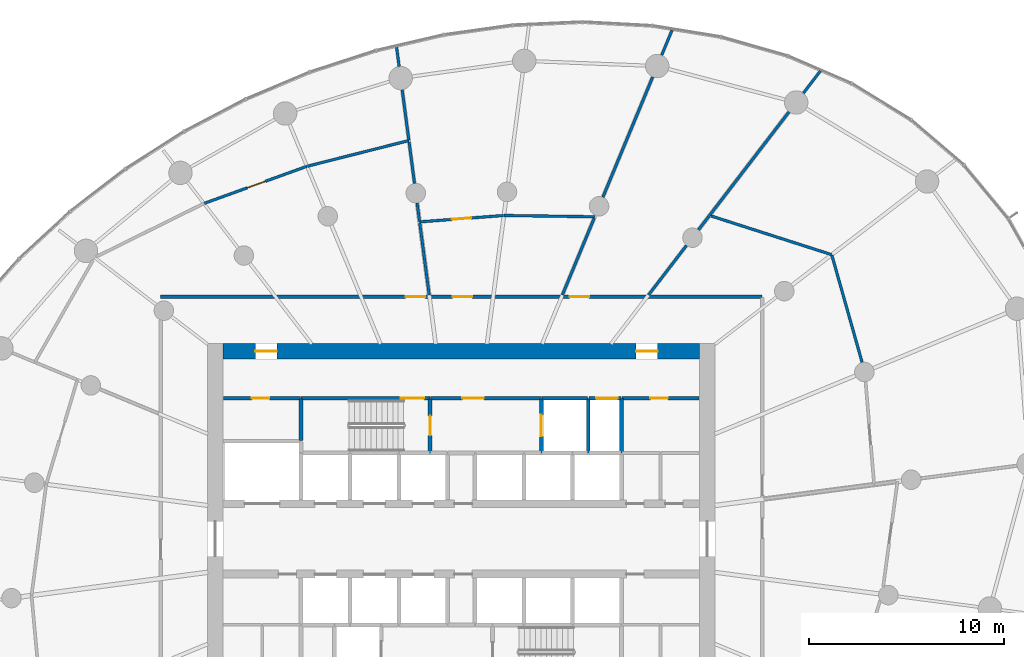
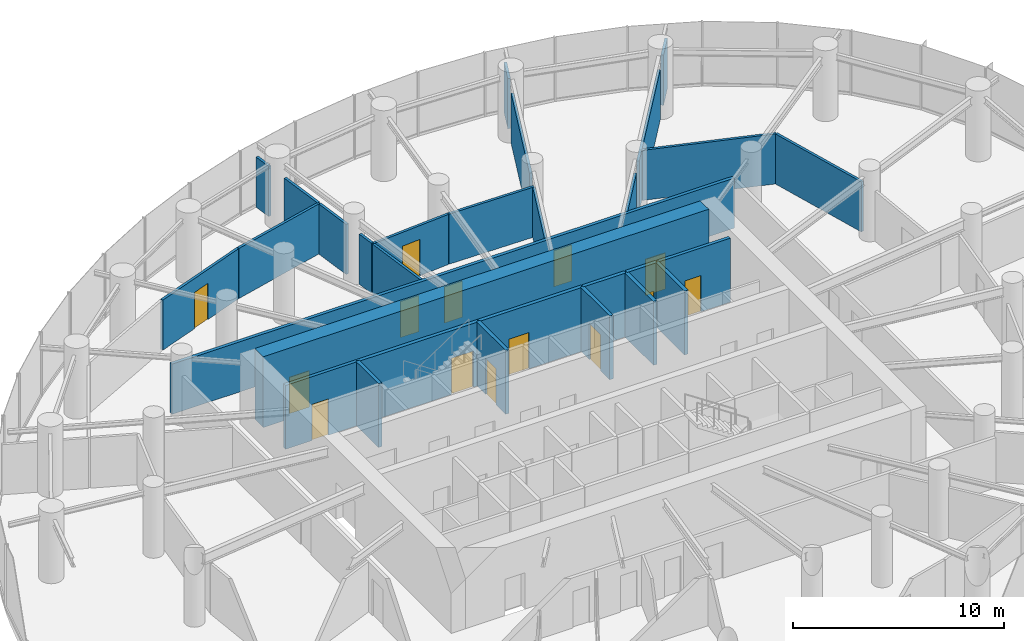
# One storey, part 13 of 17: 31 walls, 14 doors, 14 openings.
"""IFC4 building model written with IfcOpenShell, lengths in metres."""

from ifc_helpers import new_model, si_unit, direction, frame, frame_2d, origin, place, context, subcontext, project, spatial, rectangle, extrude, source, transform, mapped, material, layer, layer_set, type_object, element, fill, save


model = new_model("IFC4")

# Units and contexts
model_context = context("Model", 3, precision=1e-05, world=origin(), true_north=direction((0.0, 1.0)))
body_context = subcontext(model_context, "Body", "Model", "MODEL_VIEW")
ifc_project = project(units=[si_unit("LENGTHUNIT", "METRE"), si_unit("AREAUNIT", "SQUARE_METRE"), si_unit("VOLUMEUNIT", "CUBIC_METRE"), si_unit("PLANEANGLEUNIT", "RADIAN"), si_unit("MASSUNIT", "GRAM", prefix="KILO")], contexts=[model_context])

# Site, building, storey
site_placement = place(None, origin())
site = spatial("IfcSite", under=ifc_project, at=site_placement, CompositionType="ELEMENT")
building_placement = place(site_placement, origin())
building = spatial("IfcBuilding", under=site, at=building_placement, Name="Spindrift Exchange Tower", CompositionType="ELEMENT")
storey_placement = place(building_placement, frame((0.0, 0.0, 92.10009765625)))
storey = spatial("IfcBuildingStorey", under=building, at=storey_placement, Name="L21", CompositionType="ELEMENT", Elevation=92.10009765625)

# Wall, openings, doors
ifc_material_1 = material(Name="Concrete 65 MPa", Category="concrete")
ifc_layer_1 = layer(ifc_material_1, 0.800048828125)
ifc_layer_set_1 = layer_set([ifc_layer_1], Name="RC Core Wall 800 Concrete 65 MPa")
wall_type_1 = type_object("IfcWallType", Name="RC Core Wall 800 Concrete 65 MPa", PredefinedType="SHEAR", material=ifc_layer_set_1)
wall_1_placement = place(storey_placement, frame((64.199951171875, 57.60009765625, 0.0), z_axis=(0.0, 0.0, 1.0), x_axis=(-1.0, 0.0, 0.0)))
wall_1 = element("IfcWall", 1, at=wall_1_placement, inside=storey, type_object=wall_type_1, Name="Core wall N L21", PredefinedType="SHEAR", context=body_context, shape_type="SweptSolid", body=[
    extrude(rectangle(XDim=24.39990234375, YDim=0.800048828125, at=frame_2d((12.199951171875, 0.0))), origin(), (0.0, 0.0, 1.0), 4.099853515625),
])
opening_1_placement = place(wall_1_placement, frame((21.64990234375, 0.0, 0.0)))
opening_1 = element("IfcOpeningElement", 2, at=opening_1_placement, cuts=wall_1, Name="Opening L21-D20", PredefinedType="OPENING", context=body_context, shape_type="SweptSolid", body=[
    extrude(rectangle(XDim=1.10009765625, YDim=2.10009765625, at=frame_2d((0.550048828125, 1.050048828125))), frame((0.0, 0.409912109375, 0.0), z_axis=(0.0, -1.0, 0.0), x_axis=(1.0, 0.0, 0.0)), (0.0, 0.0, 1.0), 0.820068359375),
])
opening_2_placement = place(wall_1_placement, frame((2.14990234375, 0.0, 0.0)))
opening_2 = element("IfcOpeningElement", 3, at=opening_2_placement, cuts=wall_1, Name="Opening L21-D21", PredefinedType="OPENING", context=body_context, shape_type="SweptSolid", body=[
    extrude(rectangle(XDim=1.10009765625, YDim=2.10009765625, at=frame_2d((0.550048828125, 1.050048828125))), frame((0.0, 0.409912109375, 0.0), z_axis=(0.0, -1.0, 0.0), x_axis=(1.0, 0.0, 0.0)), (0.0, 0.0, 1.0), 0.820068359375),
])
ifc_material_2 = material(Name="Steel fire door", Category="steel")
door_type_1 = type_object("IfcDoorType", Name="DR-STAIR-1100", OperationType="NOTDEFINED", PredefinedType="DOOR", material=ifc_material_2)
shared_shape_1 = source(origin(), body_context, "Body", "SweptSolid", [
    extrude(rectangle(XDim=1.10009765625, YDim=2.10009765625, at=frame_2d((0.550048828125, 1.050048828125))), frame((0.0, 0.02490234375, 0.0), z_axis=(0.0, -1.0, 0.0), x_axis=(1.0, 0.0, 0.0)), (0.0, 0.0, 1.0), 0.050048828125),
])
door_1_placement = place(opening_1_placement, origin())
door_1 = element("IfcDoor", 4, at=door_1_placement, inside=storey, type_object=door_type_1, Name="L21 Stair door 20", OperationType="SINGLE_SWING_LEFT", OverallHeight=2.10009765625, OverallWidth=1.10009765625, PredefinedType="DOOR", context=body_context, shape_type="MappedRepresentation", body=[
    mapped(shared_shape_1, transform((0.0, 0.0, 0.0), scale=1.0)),
])
fill(opening_1, door_1)
door_2_placement = place(opening_2_placement, origin())
door_2 = element("IfcDoor", 5, at=door_2_placement, inside=storey, type_object=door_type_1, Name="L21 Stair door 21", OperationType="SINGLE_SWING_RIGHT", OverallHeight=2.10009765625, OverallWidth=1.10009765625, PredefinedType="DOOR", context=body_context, shape_type="MappedRepresentation", body=[
    mapped(shared_shape_1, transform((0.0, 0.0, 0.0), scale=1.0)),
])
fill(opening_2, door_2)

# Wall, opening, door
ifc_material_3 = material(Name="Fire-rated plasterboard partition", Category="gypsum")
ifc_layer_2 = layer(ifc_material_3, 0.179931640625)
ifc_layer_set_2 = layer_set([ifc_layer_2], Name="W-CORR-180")
wall_type_2 = type_object("IfcWallType", Name="W-CORR-180", PredefinedType="PARTITIONING", material=ifc_layer_set_2)
wall_2_placement = place(storey_placement, frame((64.179931640625, 55.199951171875, 0.0), z_axis=(0.0, 0.0, 1.0), x_axis=(-1.0, 0.0, 0.0)))
wall_2 = element("IfcWall", 6, at=wall_2_placement, inside=storey, type_object=wall_type_2, Name="L21 Partition wall 62", PredefinedType="PARTITIONING", context=body_context, shape_type="SweptSolid", body=[
    extrude(rectangle(XDim=3.949951171875, YDim=0.179931640625, at=frame_2d((1.97509765625, 0.0))), origin(), (0.0, 0.0, 1.0), 3.699951171875),
])
opening_3_placement = place(wall_2_placement, frame((1.60009765625, 0.0, 0.0)))
opening_3 = element("IfcOpeningElement", 7, at=opening_3_placement, cuts=wall_2, Name="Opening L21-D51", PredefinedType="OPENING", context=body_context, shape_type="SweptSolid", body=[
    extrude(rectangle(XDim=0.89990234375, YDim=2.10009765625, at=frame_2d((0.449951171875, 1.050048828125))), frame((0.0, 0.099853515625, 0.0), z_axis=(0.0, -1.0, 0.0), x_axis=(1.0, 0.0, 0.0)), (0.0, 0.0, 1.0), 0.199951171875),
])
ifc_material_4 = material(Name="Steel access door", Category="steel")
door_type_2 = type_object("IfcDoorType", Name="DR-RISER-900", OperationType="NOTDEFINED", PredefinedType="DOOR", material=ifc_material_4)
shared_shape_2 = source(origin(), body_context, "Body", "SweptSolid", [
    extrude(rectangle(XDim=0.89990234375, YDim=2.10009765625, at=frame_2d((0.449951171875, 1.050048828125))), frame((0.0, 0.02490234375, 0.0), z_axis=(0.0, -1.0, 0.0), x_axis=(1.0, 0.0, 0.0)), (0.0, 0.0, 1.0), 0.050048828125),
])
door_3_placement = place(opening_3_placement, origin())
door_3 = element("IfcDoor", 8, at=door_3_placement, inside=storey, type_object=door_type_2, Name="L21 Riser door 51", OperationType="SINGLE_SWING_RIGHT", OverallHeight=2.10009765625, OverallWidth=0.89990234375, PredefinedType="DOOR", context=body_context, shape_type="MappedRepresentation", body=[
    mapped(shared_shape_2, transform((0.0, 0.0, 0.0), scale=1.0)),
])
fill(opening_3, door_3)

wall_3_placement = place(storey_placement, frame((43.77001953125, 55.199951171875, 0.0), z_axis=(0.0, 0.0, 1.0), x_axis=(-1.0, 0.0, 0.0)))
wall_3 = element("IfcWall", 9, at=wall_3_placement, inside=storey, type_object=wall_type_2, Name="L21 Partition wall 64", PredefinedType="PARTITIONING", context=body_context, shape_type="SweptSolid", body=[
    extrude(rectangle(XDim=3.949951171875, YDim=0.179931640625, at=frame_2d((1.97509765625, 0.0))), origin(), (0.0, 0.0, 1.0), 3.699951171875),
])
opening_4_placement = place(wall_3_placement, frame((1.60009765625, 0.0, 0.0)))
opening_4 = element("IfcOpeningElement", 10, at=opening_4_placement, cuts=wall_3, Name="Opening L21-D45", PredefinedType="OPENING", context=body_context, shape_type="SweptSolid", body=[
    extrude(rectangle(XDim=0.89990234375, YDim=2.10009765625, at=frame_2d((0.449951171875, 1.050048828125))), frame((0.0, 0.099853515625, 0.0), z_axis=(0.0, -1.0, 0.0), x_axis=(1.0, 0.0, 0.0)), (0.0, 0.0, 1.0), 0.199951171875),
])
door_4_placement = place(opening_4_placement, origin())
door_4 = element("IfcDoor", 11, at=door_4_placement, inside=storey, type_object=door_type_2, Name="L21 Riser door 45", OperationType="SINGLE_SWING_RIGHT", OverallHeight=2.10009765625, OverallWidth=0.89990234375, PredefinedType="DOOR", context=body_context, shape_type="MappedRepresentation", body=[
    mapped(shared_shape_2, transform((0.0, 0.0, 0.0), scale=1.0)),
])
fill(opening_4, door_4)

# Walls
ifc_layer_3 = layer(ifc_material_3, 0.139892578125)
ifc_layer_set_3 = layer_set([ifc_layer_3], Name="W-PART-140")
wall_type_3 = type_object("IfcWallType", Name="W-PART-140", PredefinedType="PARTITIONING", material=ifc_layer_set_3)
wall_4_placement = place(storey_placement, frame((49.310791015625, 68.42626953125, 0.0), z_axis=(0.0, 0.0, 1.0), x_axis=(-0.13054709887, 0.991442108737, 0.0)))
element("IfcWall", 12, at=wall_4_placement, inside=storey, type_object=wall_type_3, Name="L21 Partition wall 107", PredefinedType="PARTITIONING", context=body_context, shape_type="SweptSolid", body=[
    extrude(rectangle(XDim=2.592041015625, YDim=0.139892578125, at=frame_2d((1.2958984375, 0.0))), origin(), (0.0, 0.0, 1.0), 2.89990234375),
])
wall_5_placement = place(storey_placement, frame((48.814697265625, 72.194580078125, 0.0), z_axis=(0.0, 0.0, 1.0), x_axis=(-0.130576058812, 0.991438295037, 0.0)))
element("IfcWall", 13, at=wall_5_placement, inside=storey, type_object=wall_type_3, Name="L21 Partition wall 134", PredefinedType="PARTITIONING", context=body_context, shape_type="SweptSolid", body=[
    extrude(rectangle(XDim=0.9873046875, YDim=0.139892578125, at=frame_2d((0.49365234375, 0.0))), origin(), (0.0, 0.0, 1.0), 2.89990234375),
])
ifc_layer_4 = layer(ifc_material_3, 0.139892578125)
ifc_layer_set_4 = layer_set([ifc_layer_4], Name="W-PLANT-140")
wall_type_4 = type_object("IfcWallType", Name="W-PLANT-140", PredefinedType="PARTITIONING", material=ifc_layer_set_4)
wall_6_placement = place(storey_placement, frame((64.707763671875, 64.560791015625, 0.0), z_axis=(0.0, 0.0, 1.0), x_axis=(0.608727396298, 0.793379453349, 0.0)))
element("IfcWall", 14, at=wall_6_placement, inside=storey, type_object=wall_type_4, Name="L21 Partition wall 67", PredefinedType="PARTITIONING", context=body_context, shape_type="SweptSolid", body=[
    extrude(rectangle(XDim=6.686279296875, YDim=0.139892578125, at=frame_2d((3.34326171875, 0.0))), origin(), (0.0, 0.0, 1.0), 2.89990234375),
])
wall_7_placement = place(storey_placement, frame((59.247802734375, 65.497802734375, 0.0), z_axis=(0.0, 0.0, 1.0), x_axis=(0.382696989205, 0.923873916968, 0.0)))
element("IfcWall", 15, at=wall_7_placement, inside=storey, type_object=wall_type_4, Name="L21 Partition wall 68", PredefinedType="PARTITIONING", context=body_context, shape_type="SweptSolid", body=[
    extrude(rectangle(XDim=6.662841796875, YDim=0.139892578125, at=frame_2d((3.33154296875, 0.0))), origin(), (0.0, 0.0, 1.0), 2.89990234375),
])
wall_8_placement = place(storey_placement, frame((70.965576171875, 62.552734375, 0.0), z_axis=(0.0, 0.0, 1.0), x_axis=(-0.952177784747, 0.305544540508, 0.0)))
element("IfcWall", 16, at=wall_8_placement, inside=storey, type_object=wall_type_4, Name="L21 Partition wall 69", PredefinedType="PARTITIONING", context=body_context, shape_type="SweptSolid", body=[
    extrude(rectangle(XDim=6.497802734375, YDim=0.139892578125, at=frame_2d((3.2490234375, 0.0))), origin(), (0.0, 0.0, 1.0), 2.89990234375),
])
wall_9_placement = place(storey_placement, frame((72.521728515625, 57.03955078125, 0.0), z_axis=(0.0, 0.0, 1.0), x_axis=(-0.27165858213, 0.962393690106, 0.0)))
element("IfcWall", 17, at=wall_9_placement, inside=storey, type_object=wall_type_4, Name="L21 Partition wall 78", PredefinedType="PARTITIONING", context=body_context, shape_type="SweptSolid", body=[
    extrude(rectangle(XDim=5.69873046875, YDim=0.139892578125, at=frame_2d((2.849365234375, 0.0))), origin(), (0.0, 0.0, 1.0), 2.89990234375),
])

# Wall, opening, door
wall_10_placement = place(storey_placement, frame((38.84912109375, 65.185546875, 0.0), z_axis=(0.0, 0.0, 1.0), x_axis=(0.940690895338, 0.339264851447, 0.0)))
wall_10 = element("IfcWall", 18, at=wall_10_placement, inside=storey, type_object=wall_type_4, Name="L21 Partition wall 80", PredefinedType="PARTITIONING", context=body_context, shape_type="SweptSolid", body=[
    extrude(rectangle(XDim=5.5791015625, YDim=0.139892578125, at=frame_2d((2.78955078125, 0.0))), origin(), (0.0, 0.0, 1.0), 2.89990234375),
])
opening_5_placement = place(wall_10_placement, frame((2.329345703125, 0.0, 0.0)))
opening_5 = element("IfcOpeningElement", 19, at=opening_5_placement, cuts=wall_10, Name="Opening L21-D39", PredefinedType="OPENING", context=body_context, shape_type="SweptSolid", body=[
    extrude(rectangle(XDim=1.0, YDim=2.10009765625, at=frame_2d((0.5, 1.050048828125))), frame((0.0, 0.079833984375, 0.0), z_axis=(0.0, -1.0, 0.0), x_axis=(1.0, 0.0, 0.0)), (0.0, 0.0, 1.0), 0.159912109375),
])
ifc_material_5 = material(Name="Timber-core fire door", Category="wood")
door_type_3 = type_object("IfcDoorType", Name="DR-ROOM-1000", OperationType="NOTDEFINED", PredefinedType="DOOR", material=ifc_material_5)
shared_shape_3 = source(origin(), body_context, "Body", "SweptSolid", [
    extrude(rectangle(XDim=1.0, YDim=2.10009765625, at=frame_2d((0.5, 1.050048828125))), frame((0.0, 0.02490234375, 0.0), z_axis=(0.0, -1.0, 0.0), x_axis=(1.0, 0.0, 0.0)), (0.0, 0.0, 1.0), 0.050048828125),
])
door_5_placement = place(opening_5_placement, origin())
door_5 = element("IfcDoor", 20, at=door_5_placement, inside=storey, type_object=door_type_3, Name="L21 Door 39", OperationType="SINGLE_SWING_RIGHT", OverallHeight=2.10009765625, OverallWidth=1.0, PredefinedType="DOOR", context=body_context, shape_type="MappedRepresentation", body=[
    mapped(shared_shape_3, transform((0.0, 0.0, 0.0), scale=1.0)),
])
fill(opening_5, door_5)

# Walls
wall_11_placement = place(storey_placement, frame((49.314697265625, 68.396484375, 0.0), z_axis=(0.0, 0.0, 1.0), x_axis=(-0.969532921221, -0.244961047249, 0.0)))
element("IfcWall", 21, at=wall_11_placement, inside=storey, type_object=wall_type_4, Name="L21 Partition wall 83", PredefinedType="PARTITIONING", context=body_context, shape_type="SweptSolid", body=[
    extrude(rectangle(XDim=5.35107421875, YDim=0.139892578125, at=frame_2d((2.675537109375, 0.0))), origin(), (0.0, 0.0, 1.0), 2.89990234375),
])
wall_12_placement = place(storey_placement, frame((58.83203125, 64.493896484375, 0.0), z_axis=(0.0, 0.0, 1.0), x_axis=(-0.999897374303, 0.01432622983, 0.0)))
element("IfcWall", 22, at=wall_12_placement, inside=storey, type_object=wall_type_4, Name="L21 Partition wall 90", PredefinedType="PARTITIONING", context=body_context, shape_type="SweptSolid", body=[
    extrude(rectangle(XDim=4.65234375, YDim=0.139892578125, at=frame_2d((2.326171875, 0.0))), origin(), (0.0, 0.0, 1.0), 2.89990234375),
])
wall_13_placement = place(storey_placement, frame((57.173583984375, 60.489990234375, 0.0), z_axis=(0.0, 0.0, 1.0), x_axis=(0.38268090941, 0.923880577549, 0.0)))
element("IfcWall", 23, at=wall_13_placement, inside=storey, type_object=wall_type_4, Name="L21 Partition wall 91", PredefinedType="PARTITIONING", context=body_context, shape_type="SweptSolid", body=[
    extrude(rectangle(XDim=4.258544921875, YDim=0.139892578125, at=frame_2d((2.12939453125, 0.0))), origin(), (0.0, 0.0, 1.0), 2.89990234375),
])

# Wall, opening, door
wall_14_placement = place(storey_placement, frame((49.863037109375, 64.23193359375, 0.0), z_axis=(0.0, 0.0, 1.0), x_axis=(0.997114299224, 0.075914914758, 0.0)))
wall_14 = element("IfcWall", 24, at=wall_14_placement, inside=storey, type_object=wall_type_4, Name="L21 Partition wall 94", PredefinedType="PARTITIONING", context=body_context, shape_type="SweptSolid", body=[
    extrude(rectangle(XDim=4.2998046875, YDim=0.139892578125, at=frame_2d((2.14990234375, 0.0))), origin(), (0.0, 0.0, 1.0), 2.89990234375),
])
opening_6_placement = place(wall_14_placement, frame((1.649658203125, 0.0, 0.0)))
opening_6 = element("IfcOpeningElement", 25, at=opening_6_placement, cuts=wall_14, Name="Opening L21-D37", PredefinedType="OPENING", context=body_context, shape_type="SweptSolid", body=[
    extrude(rectangle(XDim=1.0, YDim=2.10009765625, at=frame_2d((0.5, 1.050048828125))), frame((0.0, 0.079833984375, 0.0), z_axis=(0.0, -1.0, 0.0), x_axis=(1.0, 0.0, 0.0)), (0.0, 0.0, 1.0), 0.159912109375),
])
door_6_placement = place(opening_6_placement, origin())
door_6 = element("IfcDoor", 26, at=door_6_placement, inside=storey, type_object=door_type_3, Name="L21 Door 37", OperationType="SINGLE_SWING_RIGHT", OverallHeight=2.10009765625, OverallWidth=1.0, PredefinedType="DOOR", context=body_context, shape_type="MappedRepresentation", body=[
    mapped(shared_shape_3, transform((0.0, 0.0, 0.0), scale=1.0)),
])
fill(opening_6, door_6)

# Walls
wall_15_placement = place(storey_placement, frame((50.355712890625, 60.489990234375, 0.0), z_axis=(0.0, 0.0, 1.0), x_axis=(-0.130497134821, 0.99144868642, 0.0)))
element("IfcWall", 27, at=wall_15_placement, inside=storey, type_object=wall_type_4, Name="L21 Partition wall 96", PredefinedType="PARTITIONING", context=body_context, shape_type="SweptSolid", body=[
    extrude(rectangle(XDim=3.704345703125, YDim=0.139892578125, at=frame_2d((1.85205078125, 0.0))), origin(), (0.0, 0.0, 1.0), 2.89990234375),
])
wall_16_placement = place(storey_placement, frame((61.583984375, 60.489990234375, 0.0), z_axis=(0.0, 0.0, 1.0), x_axis=(0.60874605662, 0.793365135703, 0.0)))
element("IfcWall", 28, at=wall_16_placement, inside=storey, type_object=wall_type_4, Name="L21 Partition wall 100", PredefinedType="PARTITIONING", context=body_context, shape_type="SweptSolid", body=[
    extrude(rectangle(XDim=3.193603515625, YDim=0.139892578125, at=frame_2d((1.5966796875, 0.0))), origin(), (0.0, 0.0, 1.0), 2.89990234375),
])
wall_17_placement = place(storey_placement, frame((49.603515625, 66.203369140625, 0.0), z_axis=(0.0, 0.0, 1.0), x_axis=(-0.130513483775, 0.991446534389, 0.0)))
element("IfcWall", 29, at=wall_17_placement, inside=storey, type_object=wall_type_4, Name="L21 Partition wall 110", PredefinedType="PARTITIONING", context=body_context, shape_type="SweptSolid", body=[
    extrude(rectangle(XDim=2.141845703125, YDim=0.139892578125, at=frame_2d((1.07080078125, 0.0))), origin(), (0.0, 0.0, 1.0), 2.89990234375),
])
wall_18_placement = place(storey_placement, frame((69.513671875, 70.82421875, 0.0), z_axis=(0.0, 0.0, 1.0), x_axis=(0.608818785139, 0.79330932609, 0.0)))
element("IfcWall", 30, at=wall_18_placement, inside=storey, type_object=wall_type_4, Name="L21 Partition wall 123", PredefinedType="PARTITIONING", context=body_context, shape_type="SweptSolid", body=[
    extrude(rectangle(XDim=1.42919921875, YDim=0.139892578125, at=frame_2d((0.714599609375, 0.0))), origin(), (0.0, 0.0, 1.0), 2.89990234375),
])
wall_19_placement = place(storey_placement, frame((62.260498046875, 72.77099609375, 0.0), z_axis=(0.0, 0.0, 1.0), x_axis=(0.382705825988, 0.923870256451, 0.0)))
element("IfcWall", 31, at=wall_19_placement, inside=storey, type_object=wall_type_4, Name="L21 Partition wall 125", PredefinedType="PARTITIONING", context=body_context, shape_type="SweptSolid", body=[
    extrude(rectangle(XDim=1.38037109375, YDim=0.139892578125, at=frame_2d((0.690185546875, 0.0))), origin(), (0.0, 0.0, 1.0), 2.89990234375),
])
wall_20_placement = place(storey_placement, frame((49.859130859375, 64.26171875, 0.0), z_axis=(0.0, 0.0, 1.0), x_axis=(-0.130614135366, 0.991433279471, 0.0)))
element("IfcWall", 32, at=wall_20_placement, inside=storey, type_object=wall_type_4, Name="L21 Partition wall 135", PredefinedType="PARTITIONING", context=body_context, shape_type="SweptSolid", body=[
    extrude(rectangle(XDim=0.949462890625, YDim=0.139892578125, at=frame_2d((0.474609375, 0.0))), origin(), (0.0, 0.0, 1.0), 2.89990234375),
])
wall_21_placement = place(storey_placement, frame((64.14208984375, 63.823974609375, 0.0), z_axis=(0.0, 0.0, 1.0), x_axis=(0.608870455138, 0.793269669696, 0.0)))
element("IfcWall", 33, at=wall_21_placement, inside=storey, type_object=wall_type_4, Name="L21 Partition wall 136", PredefinedType="PARTITIONING", context=body_context, shape_type="SweptSolid", body=[
    extrude(rectangle(XDim=0.89892578125, YDim=0.139892578125, at=frame_2d((0.449462890625, 0.0))), origin(), (0.0, 0.0, 1.0), 2.89990234375),
])

# Wall, openings, doors
ifc_layer_5 = layer(ifc_material_3, 0.179931640625)
ifc_layer_set_5 = layer_set([ifc_layer_5], Name="W-PLANT-180")
wall_type_5 = type_object("IfcWallType", Name="W-PLANT-180", PredefinedType="PARTITIONING", material=ifc_layer_set_5)
wall_22_placement = place(storey_placement, frame((36.60009765625, 60.39990234375, 0.0), z_axis=(0.0, 0.0, 1.0), x_axis=(1.0, 0.0, 0.0)))
wall_22 = element("IfcWall", 34, at=wall_22_placement, inside=storey, type_object=wall_type_5, Name="L21 Partition wall 58", PredefinedType="PARTITIONING", context=body_context, shape_type="SweptSolid", body=[
    extrude(rectangle(XDim=30.7998046875, YDim=0.179931640625, at=frame_2d((15.39990234375, 0.0))), origin(), (0.0, 0.0, 1.0), 2.89990234375),
])
opening_7_placement = place(wall_22_placement, frame((20.949951171875, 0.0, 0.0)))
opening_7 = element("IfcOpeningElement", 35, at=opening_7_placement, cuts=wall_22, Name="Opening L21-D35", PredefinedType="OPENING", context=body_context, shape_type="SweptSolid", body=[
    extrude(rectangle(XDim=1.0, YDim=2.10009765625, at=frame_2d((0.5, 1.050048828125))), frame((0.0, 0.099853515625, 0.0), z_axis=(0.0, -1.0, 0.0), x_axis=(1.0, 0.0, 0.0)), (0.0, 0.0, 1.0), 0.199951171875),
])
opening_8_placement = place(wall_22_placement, frame((14.949951171875, 0.0, 0.0)))
opening_8 = element("IfcOpeningElement", 36, at=opening_8_placement, cuts=wall_22, Name="Opening L21-D36", PredefinedType="OPENING", context=body_context, shape_type="SweptSolid", body=[
    extrude(rectangle(XDim=1.0, YDim=2.10009765625, at=frame_2d((0.5, 1.050048828125))), frame((0.0, 0.099853515625, 0.0), z_axis=(0.0, -1.0, 0.0), x_axis=(1.0, 0.0, 0.0)), (0.0, 0.0, 1.0), 0.199951171875),
])
opening_9_placement = place(wall_22_placement, frame((12.550048828125, 0.0, 0.0)))
opening_9 = element("IfcOpeningElement", 37, at=opening_9_placement, cuts=wall_22, Name="Opening L21-D38", PredefinedType="OPENING", context=body_context, shape_type="SweptSolid", body=[
    extrude(rectangle(XDim=1.0, YDim=2.10009765625, at=frame_2d((0.5, 1.050048828125))), frame((0.0, 0.099853515625, 0.0), z_axis=(0.0, -1.0, 0.0), x_axis=(1.0, 0.0, 0.0)), (0.0, 0.0, 1.0), 0.199951171875),
])
door_7_placement = place(opening_7_placement, origin())
door_7 = element("IfcDoor", 38, at=door_7_placement, inside=storey, type_object=door_type_3, Name="L21 Door 35", OperationType="SINGLE_SWING_RIGHT", OverallHeight=2.10009765625, OverallWidth=1.0, PredefinedType="DOOR", context=body_context, shape_type="MappedRepresentation", body=[
    mapped(shared_shape_3, transform((0.0, 0.0, 0.0), scale=1.0)),
])
fill(opening_7, door_7)
door_8_placement = place(opening_8_placement, origin())
door_8 = element("IfcDoor", 39, at=door_8_placement, inside=storey, type_object=door_type_3, Name="L21 Door 36", OperationType="SINGLE_SWING_LEFT", OverallHeight=2.10009765625, OverallWidth=1.0, PredefinedType="DOOR", context=body_context, shape_type="MappedRepresentation", body=[
    mapped(shared_shape_3, transform((0.0, 0.0, 0.0), scale=1.0)),
])
fill(opening_8, door_8)
door_9_placement = place(opening_9_placement, origin())
door_9 = element("IfcDoor", 40, at=door_9_placement, inside=storey, type_object=door_type_3, Name="L21 Door 38", OperationType="SINGLE_SWING_LEFT", OverallHeight=2.10009765625, OverallWidth=1.0, PredefinedType="DOOR", context=body_context, shape_type="MappedRepresentation", body=[
    mapped(shared_shape_3, transform((0.0, 0.0, 0.0), scale=1.0)),
])
fill(opening_9, door_9)

# Wall, opening, door
ifc_material_6 = material(Name="Concrete 40 MPa", Category="concrete")
ifc_layer_6 = layer(ifc_material_6, 0.199951171875)
ifc_layer_set_6 = layer_set([ifc_layer_6], Name="W-SHAFT-200")
wall_type_6 = type_object("IfcWallType", Name="W-SHAFT-200", PredefinedType="SOLIDWALL", material=ifc_layer_set_6)
wall_23_placement = place(storey_placement, frame((56.10009765625, 55.169921875, 0.0), z_axis=(0.0, 0.0, 1.0), x_axis=(0.0, -1.0, 0.0)))
wall_23 = element("IfcWall", 41, at=wall_23_placement, inside=storey, type_object=wall_type_6, Name="L21 Shaft wall 12", PredefinedType="SOLIDWALL", context=body_context, shape_type="SweptSolid", body=[
    extrude(rectangle(XDim=2.77001953125, YDim=0.199951171875, at=frame_2d((1.385009765625, 0.0))), origin(), (0.0, 0.0, 1.0), 3.699951171875),
])
opening_10_placement = place(wall_23_placement, frame((0.820068359375, 0.0, 0.0)))
opening_10 = element("IfcOpeningElement", 42, at=opening_10_placement, cuts=wall_23, Name="Opening L21-D9", PredefinedType="OPENING", context=body_context, shape_type="SweptSolid", body=[
    extrude(rectangle(XDim=1.10009765625, YDim=2.10009765625, at=frame_2d((0.550048828125, 1.050048828125))), frame((0.0, 0.10986328125, 0.0), z_axis=(0.0, -1.0, 0.0), x_axis=(1.0, 0.0, 0.0)), (0.0, 0.0, 1.0), 0.219970703125),
])
ifc_material_7 = material(Name="Stainless steel landing door", Category="steel")
door_type_4 = type_object("IfcDoorType", Name="DR-LANDING-1100-SL", OperationType="DOUBLE_DOOR_SLIDING", PredefinedType="USERDEFINED", material=ifc_material_7)
shared_shape_4 = source(origin(), body_context, "Body", "SweptSolid", [
    extrude(rectangle(XDim=1.10009765625, YDim=2.10009765625, at=frame_2d((0.550048828125, 1.050048828125))), frame((0.0, 0.02490234375, 0.0), z_axis=(0.0, -1.0, 0.0), x_axis=(1.0, 0.0, 0.0)), (0.0, 0.0, 1.0), 0.050048828125),
])
door_10_placement = place(opening_10_placement, origin())
door_10 = element("IfcDoor", 43, at=door_10_placement, inside=storey, type_object=door_type_4, Name="L21 Lift landing door 9", ObjectType="LANDING DOOR", OperationType="DOUBLE_DOOR_SLIDING", OverallHeight=2.10009765625, OverallWidth=1.10009765625, PredefinedType="USERDEFINED", context=body_context, shape_type="MappedRepresentation", body=[
    mapped(shared_shape_4, transform((0.0, 0.0, 0.0), scale=1.0)),
])
fill(opening_10, door_10)

# Walls
for number, where, z_axis, x_axis, name in (
    (44, (58.5, 52.39990234375, 0.0), (0.0, 0.0, 1.0), (0.0, 1.0, 0.0), "L21 Shaft wall 13"),
    (45, (60.199951171875, 52.39990234375, 0.0), (0.0, 0.0, 1.0), (0.0, 1.0, 0.0), "L21 Shaft wall 14"),
):
    element("IfcWall", number, at=place(storey_placement, frame(where, z_axis=z_axis, x_axis=x_axis)), inside=storey, type_object=wall_type_6, Name=name, PredefinedType="SOLIDWALL", context=body_context, shape_type="SweptSolid", body=[
        extrude(rectangle(XDim=2.800048828125, YDim=0.199951171875, at=frame_2d((1.39990234375, 0.0))), origin(), (0.0, 0.0, 1.0), 3.699951171875),
    ])
wall_24_placement = place(storey_placement, frame((58.469970703125, 55.199951171875, 0.0), z_axis=(0.0, 0.0, 1.0), x_axis=(-1.0, 0.0, 0.0)))
element("IfcWall", 46, at=wall_24_placement, inside=storey, type_object=wall_type_6, Name="L21 Shaft wall 22", PredefinedType="SOLIDWALL", context=body_context, shape_type="SweptSolid", body=[
    extrude(rectangle(XDim=2.340087890625, YDim=0.199951171875, at=frame_2d((1.169921875, 0.0))), origin(), (0.0, 0.0, 1.0), 3.699951171875),
])

# Wall, opening, door
wall_25_placement = place(storey_placement, frame((60.169921875, 55.199951171875, 0.0), z_axis=(0.0, 0.0, 1.0), x_axis=(-1.0, 0.0, 0.0)))
wall_25 = element("IfcWall", 47, at=wall_25_placement, inside=storey, type_object=wall_type_6, Name="L21 Shaft wall 43", PredefinedType="SOLIDWALL", context=body_context, shape_type="SweptSolid", body=[
    extrude(rectangle(XDim=1.639892578125, YDim=0.199951171875, at=frame_2d((0.81982421875, 0.0))), origin(), (0.0, 0.0, 1.0), 3.699951171875),
])
opening_11_placement = place(wall_25_placement, frame((0.169921875, 0.0, 0.0)))
opening_11 = element("IfcOpeningElement", 48, at=opening_11_placement, cuts=wall_25, Name="Opening L21-D11", PredefinedType="OPENING", context=body_context, shape_type="SweptSolid", body=[
    extrude(rectangle(XDim=1.10009765625, YDim=2.10009765625, at=frame_2d((0.550048828125, 1.050048828125))), frame((0.0, 0.10986328125, 0.0), z_axis=(0.0, -1.0, 0.0), x_axis=(1.0, 0.0, 0.0)), (0.0, 0.0, 1.0), 0.219970703125),
])
door_11_placement = place(opening_11_placement, origin())
door_11 = element("IfcDoor", 49, at=door_11_placement, inside=storey, type_object=door_type_4, Name="L21 Lift landing door 11", ObjectType="LANDING DOOR", OperationType="DOUBLE_DOOR_SLIDING", OverallHeight=2.10009765625, OverallWidth=1.10009765625, PredefinedType="USERDEFINED", context=body_context, shape_type="MappedRepresentation", body=[
    mapped(shared_shape_4, transform((0.0, 0.0, 0.0), scale=1.0)),
])
fill(opening_11, door_11)

ifc_layer_7 = layer(ifc_material_6, 0.199951171875)
ifc_layer_set_7 = layer_set([ifc_layer_7], Name="W-SHAFT-200-LB")
wall_type_7 = type_object("IfcWallType", Name="W-SHAFT-200-LB", PredefinedType="SOLIDWALL", material=ifc_layer_set_7)
wall_26_placement = place(storey_placement, frame((50.39990234375, 55.199951171875, 0.0), z_axis=(0.0, 0.0, 1.0), x_axis=(-1.0, 0.0, 0.0)))
wall_26 = element("IfcWall", 50, at=wall_26_placement, inside=storey, type_object=wall_type_7, Name="L21 Shaft wall 1", PredefinedType="SOLIDWALL", context=body_context, shape_type="SweptSolid", body=[
    extrude(rectangle(XDim=6.599853515625, YDim=0.199951171875, at=frame_2d((3.2998046875, 0.0))), origin(), (0.0, 0.0, 1.0), 3.699951171875),
])
opening_12_placement = place(wall_26_placement, frame((0.300048828125, 0.0, 0.0)))
opening_12 = element("IfcOpeningElement", 51, at=opening_12_placement, cuts=wall_26, Name="Opening L21-D13", PredefinedType="OPENING", context=body_context, shape_type="SweptSolid", body=[
    extrude(rectangle(XDim=1.199951171875, YDim=2.10009765625, at=frame_2d((0.60009765625, 1.050048828125))), frame((0.0, 0.10986328125, 0.0), z_axis=(0.0, -1.0, 0.0), x_axis=(1.0, 0.0, 0.0)), (0.0, 0.0, 1.0), 0.219970703125),
])
door_type_5 = type_object("IfcDoorType", Name="DR-STAIR-1200", OperationType="NOTDEFINED", PredefinedType="DOOR", material=ifc_material_2)
shared_shape_5 = source(origin(), body_context, "Body", "SweptSolid", [
    extrude(rectangle(XDim=1.199951171875, YDim=2.10009765625, at=frame_2d((0.60009765625, 1.050048828125))), frame((0.0, 0.02490234375, 0.0), z_axis=(0.0, -1.0, 0.0), x_axis=(1.0, 0.0, 0.0)), (0.0, 0.0, 1.0), 0.050048828125),
])
door_12_placement = place(opening_12_placement, origin())
door_12 = element("IfcDoor", 52, at=door_12_placement, inside=storey, type_object=door_type_5, Name="L21 Stair door 13", OperationType="SINGLE_SWING_RIGHT", OverallHeight=2.10009765625, OverallWidth=1.199951171875, PredefinedType="DOOR", context=body_context, shape_type="MappedRepresentation", body=[
    mapped(shared_shape_5, transform((0.0, 0.0, 0.0), scale=1.0)),
])
fill(opening_12, door_12)

wall_27_placement = place(storey_placement, frame((56.10009765625, 55.199951171875, 0.0), z_axis=(0.0, 0.0, 1.0), x_axis=(-1.0, 0.0, 0.0)))
wall_27 = element("IfcWall", 53, at=wall_27_placement, inside=storey, type_object=wall_type_7, Name="L21 Shaft wall 4", PredefinedType="SOLIDWALL", context=body_context, shape_type="SweptSolid", body=[
    extrude(rectangle(XDim=5.670166015625, YDim=0.199951171875, at=frame_2d((2.8349609375, 0.0))), origin(), (0.0, 0.0, 1.0), 3.699951171875),
])
opening_13_placement = place(wall_27_placement, frame((2.949951171875, 0.0, 0.0)))
opening_13 = element("IfcOpeningElement", 54, at=opening_13_placement, cuts=wall_27, Name="Opening L21-D15", PredefinedType="OPENING", context=body_context, shape_type="SweptSolid", body=[
    extrude(rectangle(XDim=1.10009765625, YDim=2.10009765625, at=frame_2d((0.550048828125, 1.050048828125))), frame((0.0, 0.10986328125, 0.0), z_axis=(0.0, -1.0, 0.0), x_axis=(1.0, 0.0, 0.0)), (0.0, 0.0, 1.0), 0.219970703125),
])
door_type_6 = type_object("IfcDoorType", Name="DR-LOBBY-1100", OperationType="NOTDEFINED", PredefinedType="DOOR", material=ifc_material_5)
shared_shape_6 = source(origin(), body_context, "Body", "SweptSolid", [
    extrude(rectangle(XDim=1.10009765625, YDim=2.10009765625, at=frame_2d((0.550048828125, 1.050048828125))), frame((0.0, 0.02490234375, 0.0), z_axis=(0.0, -1.0, 0.0), x_axis=(1.0, 0.0, 0.0)), (0.0, 0.0, 1.0), 0.050048828125),
])
door_13_placement = place(opening_13_placement, origin())
door_13 = element("IfcDoor", 55, at=door_13_placement, inside=storey, type_object=door_type_6, Name="L21 Lobby door 15", OperationType="SINGLE_SWING_RIGHT", OverallHeight=2.10009765625, OverallWidth=1.10009765625, PredefinedType="DOOR", context=body_context, shape_type="MappedRepresentation", body=[
    mapped(shared_shape_6, transform((0.0, 0.0, 0.0), scale=1.0)),
])
fill(opening_13, door_13)

wall_28_placement = place(storey_placement, frame((50.39990234375, 52.39990234375, 0.0), z_axis=(0.0, 0.0, 1.0), x_axis=(0.0, 1.0, 0.0)))
wall_28 = element("IfcWall", 56, at=wall_28_placement, inside=storey, type_object=wall_type_7, Name="L21 Shaft wall 9", PredefinedType="SOLIDWALL", context=body_context, shape_type="SweptSolid", body=[
    extrude(rectangle(XDim=2.77001953125, YDim=0.199951171875, at=frame_2d((1.385009765625, 0.0))), origin(), (0.0, 0.0, 1.0), 3.699951171875),
])
opening_14_placement = place(wall_28_placement, frame((0.89990234375, 0.0, 0.0)))
opening_14 = element("IfcOpeningElement", 57, at=opening_14_placement, cuts=wall_28, Name="Opening L21-D14", PredefinedType="OPENING", context=body_context, shape_type="SweptSolid", body=[
    extrude(rectangle(XDim=1.0, YDim=2.10009765625, at=frame_2d((0.5, 1.050048828125))), frame((0.0, 0.10986328125, 0.0), z_axis=(0.0, -1.0, 0.0), x_axis=(1.0, 0.0, 0.0)), (0.0, 0.0, 1.0), 0.219970703125),
])
door_type_7 = type_object("IfcDoorType", Name="DR-STAIR-1000", OperationType="NOTDEFINED", PredefinedType="DOOR", material=ifc_material_2)
shared_shape_7 = source(origin(), body_context, "Body", "SweptSolid", [
    extrude(rectangle(XDim=1.0, YDim=2.10009765625, at=frame_2d((0.5, 1.050048828125))), frame((0.0, 0.02490234375, 0.0), z_axis=(0.0, -1.0, 0.0), x_axis=(1.0, 0.0, 0.0)), (0.0, 0.0, 1.0), 0.050048828125),
])
door_14_placement = place(opening_14_placement, origin())
door_14 = element("IfcDoor", 58, at=door_14_placement, inside=storey, type_object=door_type_7, Name="L21 Stair door 14", OperationType="SINGLE_SWING_LEFT", OverallHeight=2.10009765625, OverallWidth=1.0, PredefinedType="DOOR", context=body_context, shape_type="MappedRepresentation", body=[
    mapped(shared_shape_7, transform((0.0, 0.0, 0.0), scale=1.0)),
])
fill(opening_14, door_14)

# Wall
wall_29_placement = place(storey_placement, frame((43.800048828125, 55.169921875, 0.0), z_axis=(0.0, 0.0, 1.0), x_axis=(0.0, -1.0, 0.0)))
element("IfcWall", 59, at=wall_29_placement, inside=storey, type_object=wall_type_7, Name="L21 Shaft wall 39", PredefinedType="SOLIDWALL", context=body_context, shape_type="SweptSolid", body=[
    extrude(rectangle(XDim=2.139892578125, YDim=0.199951171875, at=frame_2d((1.06982421875, 0.0))), origin(), (0.0, 0.0, 1.0), 3.699951171875),
])

save(model, "model.ifc")
